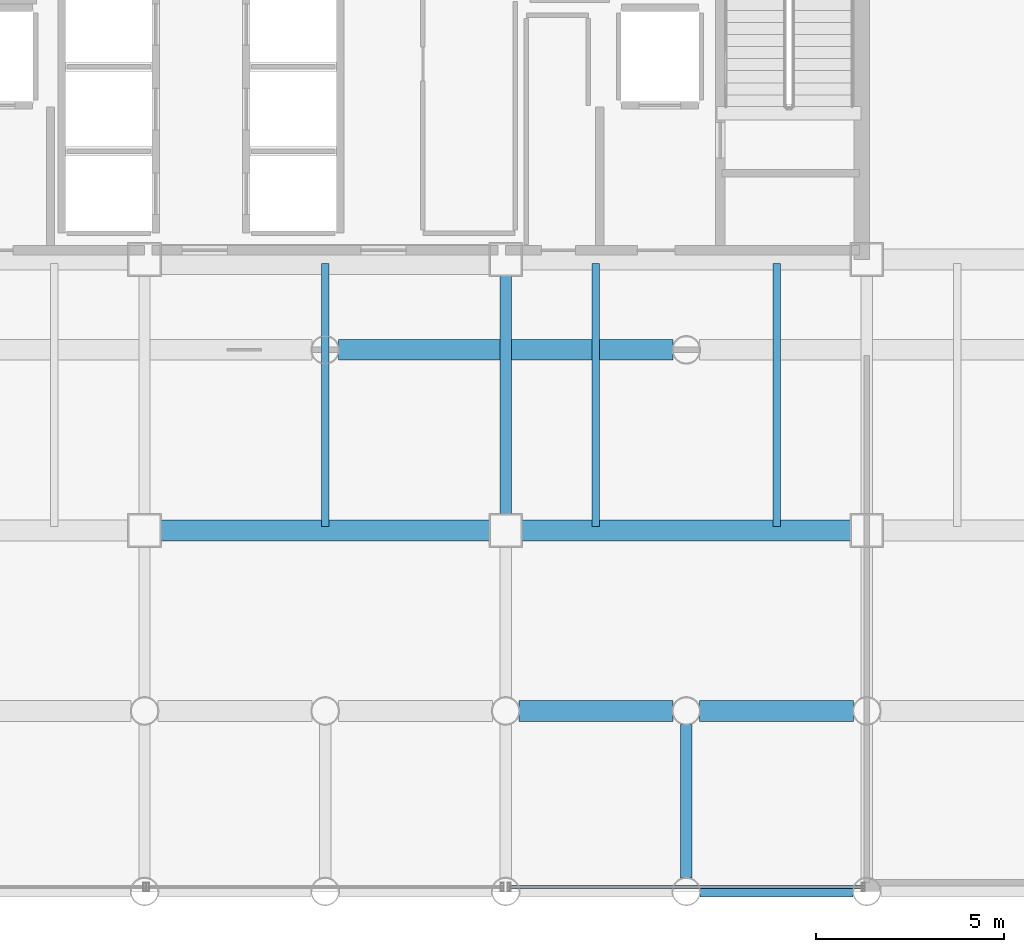
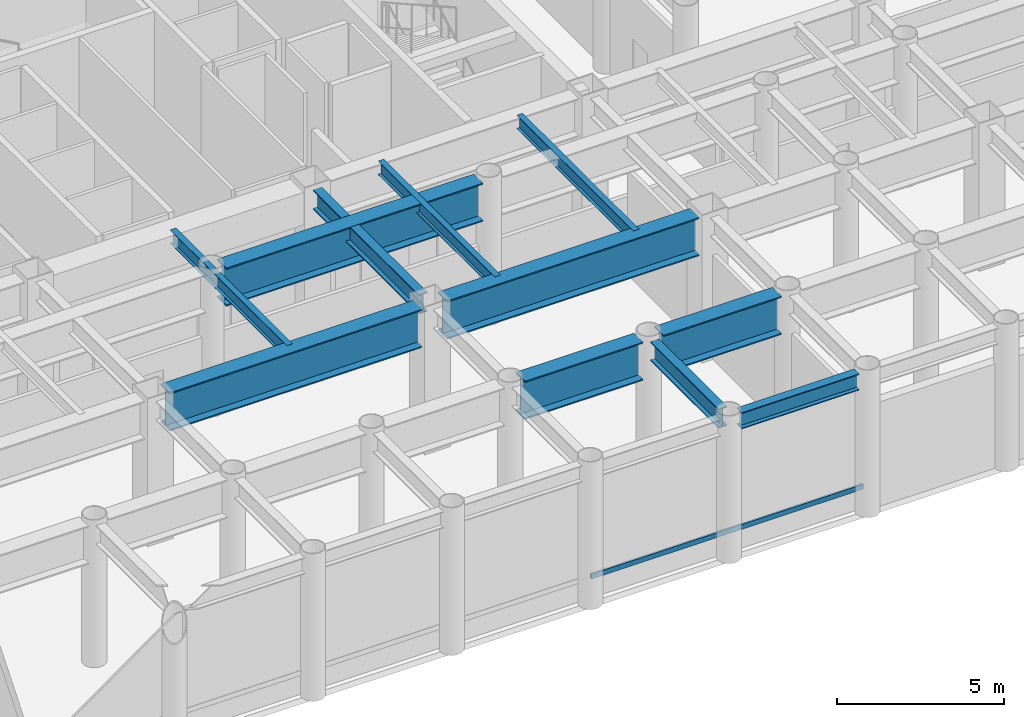
# One storey, part 5 of 20: 11 beams, 1 member, 1 element without a shape of its own.
"""IFC4 building model written with IfcOpenShell, lengths in metres."""

from ifc_helpers import new_model, si_unit, direction, frame, origin, origin_2d, place, context, subcontext, project, spatial, hollow_rectangle, i_section, extrude, material, layer, layer_set, material_profile, profile_set, type_object, element, aggregate, save


model = new_model("IFC4")

# Units and contexts
model_context = context("Model", 3, precision=1e-05, world=origin(), true_north=direction((0.0, 1.0)))
body_context = subcontext(model_context, "Body", "Model", "MODEL_VIEW")
ifc_project = project(units=[si_unit("LENGTHUNIT", "METRE"), si_unit("AREAUNIT", "SQUARE_METRE"), si_unit("VOLUMEUNIT", "CUBIC_METRE"), si_unit("PLANEANGLEUNIT", "RADIAN"), si_unit("MASSUNIT", "GRAM", prefix="KILO")], contexts=[model_context])

# Site, building, storey
site_placement = place(None, origin())
site = spatial("IfcSite", under=ifc_project, at=site_placement, CompositionType="ELEMENT")
building_placement = place(site_placement, origin())
building = spatial("IfcBuilding", under=site, at=building_placement, Name="Kallvorn Hotel Tower", CompositionType="ELEMENT")
storey_placement = place(building_placement, frame((0.0, 0.0, 24.60009765625)))
storey = spatial("IfcBuildingStorey", under=building, at=storey_placement, Name="L04", CompositionType="ELEMENT", Elevation=24.60009765625)

# Beams
ifc_material_1 = material(Name="Structural steel S355JR", Category="steel")
ifc_material_profile_1 = material_profile(ifc_material_1, i_section(OverallWidth=0.300048828125, OverallDepth=0.60009765625, WebThickness=0.015380859375, FlangeThickness=0.030029296875, at=origin_2d()), Name="HE 600 B")
ifc_profile_set_1 = profile_set([ifc_material_profile_1], Name="Structural steel S355JR")
beam_type_1 = type_object("IfcBeamType", Name="BM_HE600B", PredefinedType="SPANDREL", material=ifc_profile_set_1)
beam_1_placement = place(storey_placement, frame((9.970947265625, -24.0, 4.919921875), z_axis=(1.0, 0.0, 0.0), x_axis=(0.0, 1.0, 0.0)))
element("IfcBeam", 1, at=beam_1_placement, inside=storey, type_object=beam_type_1, Name="L05 Perimeter Spandrel 188", PredefinedType="SPANDREL", context=body_context, shape_type="SweptSolid", body=[
    extrude(i_section(OverallWidth=0.300048828125, OverallDepth=0.60009765625, WebThickness=0.015380859375, FlangeThickness=0.030029296875, at=origin_2d()), origin(), (0.0, 0.0, 1.0), 4.05810546875),
])
ifc_material_2 = material(Name="Structural steel S355JR", Category="steel")
ifc_material_profile_2 = material_profile(ifc_material_2, i_section(OverallWidth=0.300048828125, OverallDepth=0.699951171875, WebThickness=0.01708984375, FlangeThickness=0.031982421875, at=origin_2d()), Name="HE 700 B")
ifc_profile_set_2 = profile_set([ifc_material_profile_2], Name="Structural steel S355JR")
beam_type_2 = type_object("IfcBeamType", Name="BM_HE700B", PredefinedType="BEAM", material=ifc_profile_set_2)
beam_2_placement = place(storey_placement, frame((4.800048828125, -13.97509765625, 4.869873046875), z_axis=(0.0, 1.0, 0.0), x_axis=(-1.0, 0.0, 0.0)))
element("IfcBeam", 2, at=beam_2_placement, inside=storey, type_object=beam_type_2, Name="L05 Primary Y-Girder 138", PredefinedType="BEAM", context=body_context, shape_type="SweptSolid", body=[
    extrude(i_section(OverallWidth=0.300048828125, OverallDepth=0.699951171875, WebThickness=0.01708984375, FlangeThickness=0.031982421875, at=origin_2d()), origin(), (0.0, 0.0, 1.0), 6.35009765625),
])
beam_3_placement = place(storey_placement, frame((9.60009765625, -23.64404296875, 4.869873046875), z_axis=(0.0, 1.0, 0.0), x_axis=(-1.0, 0.0, 0.0)))
element("IfcBeam", 3, at=beam_3_placement, inside=storey, type_object=beam_type_2, Name="L05 Primary Y-Girder 142", PredefinedType="BEAM", context=body_context, shape_type="SweptSolid", body=[
    extrude(i_section(OverallWidth=0.300048828125, OverallDepth=0.699951171875, WebThickness=0.01708984375, FlangeThickness=0.031982421875, at=origin_2d()), origin(), (0.0, 0.0, 1.0), 4.088134765625),
])
ifc_material_3 = material(Name="Structural steel S355JR", Category="steel")
ifc_material_profile_3 = material_profile(ifc_material_3, i_section(OverallWidth=0.199951171875, OverallDepth=0.5, WebThickness=0.01025390625, FlangeThickness=0.01611328125, at=origin_2d()), Name="IPE 500")
ifc_profile_set_3 = profile_set([ifc_material_profile_3], Name="Structural steel S355JR")
beam_type_3 = type_object("IfcBeamType", Name="BM_IPE500", PredefinedType="JOIST", material=ifc_profile_set_3)
for number, where, z_axis, x_axis, name in (
    (4, (0.0, -14.300048828125, 4.969970703125), (0.0, 1.0, 0.0), (-1.0, 0.0, 0.0), "L05 Secondary Composite Joist 229"),
    (5, (7.199951171875, -14.300048828125, 4.969970703125), (0.0, 1.0, 0.0), (-1.0, 0.0, 0.0), "L05 Secondary Composite Joist 231"),
    (6, (12.0, -14.300048828125, 4.969970703125), (0.0, 1.0, 0.0), (-1.0, 0.0, 0.0), "L05 Secondary Composite Joist 233"),
):
    element("IfcBeam", number, at=place(storey_placement, frame(where, z_axis=z_axis, x_axis=x_axis)), inside=storey, type_object=beam_type_3, Name=name, PredefinedType="JOIST", context=body_context, shape_type="SweptSolid", body=[
        extrude(i_section(OverallWidth=0.199951171875, OverallDepth=0.5, WebThickness=0.01025390625, FlangeThickness=0.01611328125, at=origin_2d()), origin(), (0.0, 0.0, 1.0), 7.0),
    ])
ifc_material_4 = material(Name="Structural steel S355JR", Category="steel")
ifc_material_profile_4 = material_profile(ifc_material_4, i_section(OverallWidth=0.550048828125, OverallDepth=1.39990234375, WebThickness=0.02490234375, FlangeThickness=0.044921875, at=origin_2d()), Name="PG 1400x550x25x45")
ifc_profile_set_4 = profile_set([ifc_material_profile_4], Name="Structural steel S355JR")
beam_type_4 = type_object("IfcBeamType", Name="BM_PG_1400", PredefinedType="BEAM", material=ifc_profile_set_4)
for number, where, z_axis, x_axis, name in (
    (7, (5.156005859375, -19.199951171875, 4.52001953125), (1.0, 0.0, 0.0), (0.0, 1.0, 0.0), "L05 Primary X-Girder 17"),
    (8, (9.9560546875, -19.199951171875, 4.52001953125), (1.0, 0.0, 0.0), (0.0, 1.0, 0.0), "L05 Primary X-Girder 18"),
):
    element("IfcBeam", number, at=place(storey_placement, frame(where, z_axis=z_axis, x_axis=x_axis)), inside=storey, type_object=beam_type_4, Name=name, PredefinedType="BEAM", context=body_context, shape_type="SweptSolid", body=[
        extrude(i_section(OverallWidth=0.550048828125, OverallDepth=1.39990234375, WebThickness=0.02490234375, FlangeThickness=0.044921875, at=origin_2d()), origin(), (0.0, 0.0, 1.0), 4.087890625),
    ])
for number, where, z_axis, x_axis, name in (
    (9, (-4.375, -14.39990234375, 4.52001953125), (1.0, 0.0, 0.0), (0.0, 1.0, 0.0), "L05 Primary X-Girder 28"),
    (10, (5.22509765625, -14.39990234375, 4.52001953125), (1.0, 0.0, 0.0), (0.0, 1.0, 0.0), "L05 Primary X-Girder 29"),
):
    element("IfcBeam", number, at=place(storey_placement, frame(where, z_axis=z_axis, x_axis=x_axis)), inside=storey, type_object=beam_type_4, Name=name, PredefinedType="BEAM", context=body_context, shape_type="SweptSolid", body=[
        extrude(i_section(OverallWidth=0.550048828125, OverallDepth=1.39990234375, WebThickness=0.02490234375, FlangeThickness=0.044921875, at=origin_2d()), origin(), (0.0, 0.0, 1.0), 8.75),
    ])
beam_4_placement = place(storey_placement, frame((0.35595703125, -9.60009765625, 4.52001953125), z_axis=(1.0, 0.0, 0.0), x_axis=(0.0, 1.0, 0.0)))
element("IfcBeam", 11, at=beam_4_placement, inside=storey, type_object=beam_type_4, Name="L05 Primary X-Girder 39", PredefinedType="BEAM", context=body_context, shape_type="SweptSolid", body=[
    extrude(i_section(OverallWidth=0.550048828125, OverallDepth=1.39990234375, WebThickness=0.02490234375, FlangeThickness=0.044921875, at=origin_2d()), origin(), (0.0, 0.0, 1.0), 8.887939453125),
])

# Curtain wall, member
ifc_material_5 = material(Name="Thermally broken black-anodised aluminium AA 6063-T6", Category="aluminium")
ifc_layer = layer(ifc_material_5, 0.219970703125)
ifc_layer_set = layer_set([ifc_layer], Name="CW_SYS_2_PODIUM_CASC")
curtain_wall_type = type_object("IfcCurtainWallType", Name="CW_SYS_2_PODIUM_CASC", PredefinedType="USERDEFINED", material=ifc_layer_set)
curtain_wall_placement = place(storey_placement, origin())
curtain_wall = element("IfcCurtainWall", 12, at=curtain_wall_placement, inside=storey, type_object=curtain_wall_type, Name="L04 Dark-Glass Curtain Wall CW-L04-S3", ObjectType="UNITISED CURTAIN WALL", PredefinedType="USERDEFINED")
ifc_material_6 = material(Name="Thermally broken black-anodised aluminium AA 6063-T6", Category="aluminium")
ifc_material_profile_5 = material_profile(ifc_material_6, hollow_rectangle(XDim=0.070068359375, YDim=0.179931640625, WallThickness=0.00390625, at=origin_2d()), Name="TRN 180x70")
ifc_profile_set_5 = profile_set([ifc_material_profile_5], Name="Thermally broken black-anodised aluminium AA 6063-T6")
member_type = type_object("IfcMemberType", Name="CW_TRANSOM_180x70", PredefinedType="USERDEFINED", material=ifc_profile_set_5)
member_placement = place(storey_placement, frame((4.889892578125, -23.8798828125, 0.849853515625), z_axis=(1.0, 0.0, 0.0), x_axis=(0.0, 1.0, 0.0)))
member = element("IfcMember", 13, at=member_placement, type_object=member_type, Name="CW-L04-S3 Transom 00M", ObjectType="TRANSOM", PredefinedType="USERDEFINED", context=body_context, shape_type="SweptSolid", body=[
    extrude(hollow_rectangle(XDim=0.070068359375, YDim=0.179931640625, WallThickness=0.00390625, at=origin_2d()), origin(), (0.0, 0.0, 1.0), 9.420166015625),
])
aggregate(curtain_wall, [member])

save(model, "model.ifc")
